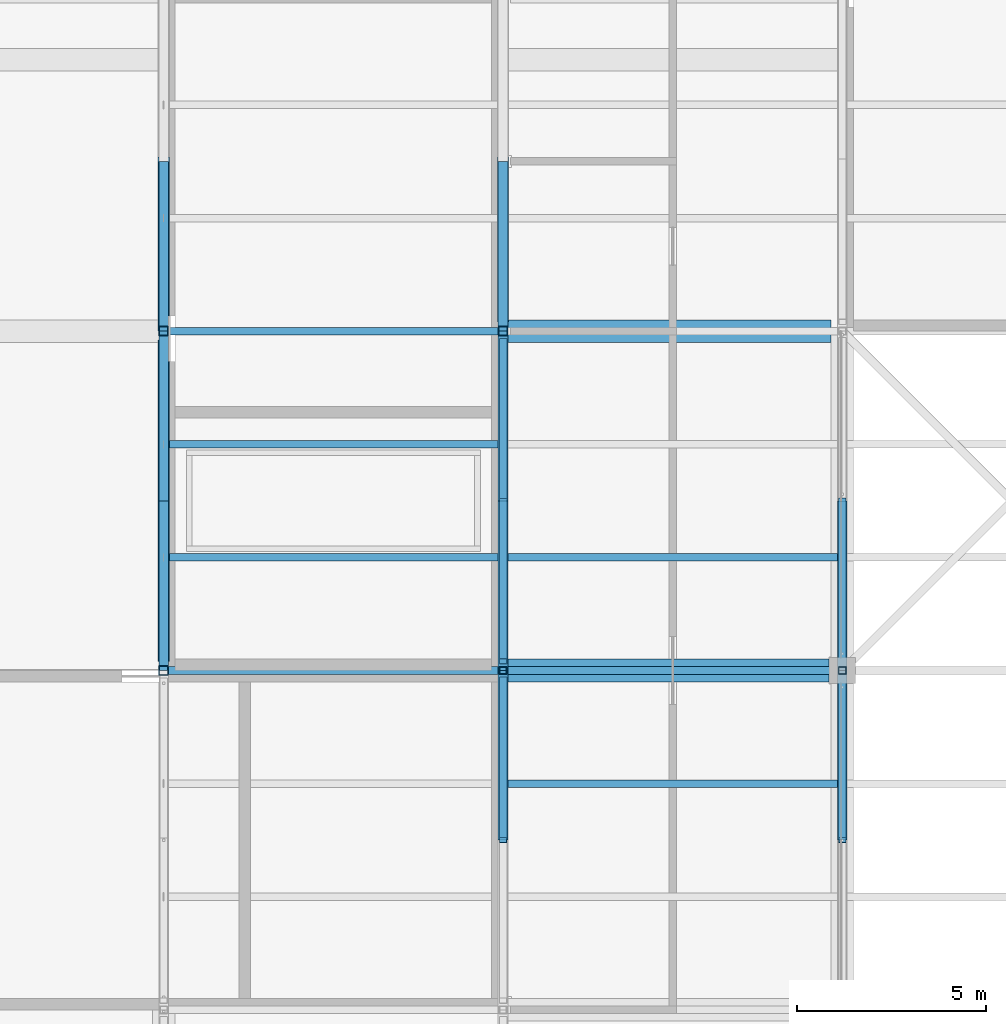
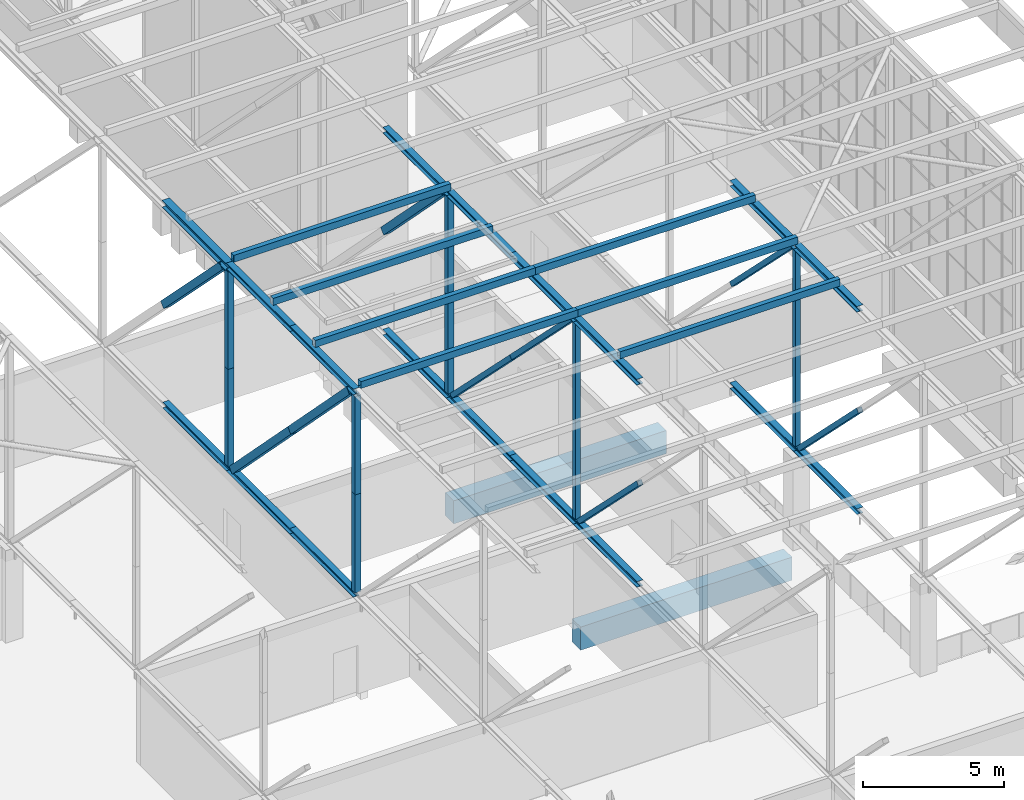
# One storey, part 91 of 646: 44 members, 2 beams.
"""IFC4 building model written with IfcOpenShell, lengths in metres."""

from ifc_helpers import new_model, si_unit, direction, frame, origin, origin_2d, place, context, subcontext, project, spatial, rectangle, hollow_rectangle, i_section, extrude, material, material_profile, profile_set, type_object, element, save


model = new_model("IFC4")

# Units and contexts
model_context = context("Model", 3, precision=1e-05, world=origin(), true_north=direction((0.0, 1.0)))
body_context = subcontext(model_context, "Body", "Model", "MODEL_VIEW")
ifc_project = project(units=[si_unit("LENGTHUNIT", "METRE"), si_unit("AREAUNIT", "SQUARE_METRE"), si_unit("VOLUMEUNIT", "CUBIC_METRE"), si_unit("PLANEANGLEUNIT", "RADIAN"), si_unit("MASSUNIT", "GRAM", prefix="KILO")], contexts=[model_context])

# Site, building, storey
site_placement = place(None, origin())
site = spatial("IfcSite", under=ifc_project, at=site_placement, CompositionType="ELEMENT")
building_placement = place(site_placement, origin())
building = spatial("IfcBuilding", under=site, at=building_placement, Name="Silverbay Arena", CompositionType="ELEMENT")
storey_placement = place(building_placement, frame((0.0, 0.0, 33.5)))
storey = spatial("IfcBuildingStorey", under=building, at=storey_placement, Name="L05", CompositionType="ELEMENT", Elevation=33.5)

# Members
ifc_material_1 = material(Name="Steel S355", Category="steel")
ifc_material_profile_1 = material_profile(ifc_material_1, i_section(OverallWidth=0.254638671875, OverallDepth=0.254150390625, WebThickness=0.008544921875, FlangeThickness=0.01416015625, at=origin_2d()), Name="UC 254x254x73")
ifc_profile_set_1 = profile_set([ifc_material_profile_1], Name="Steel S355")
member_type_1 = type_object("IfcMemberType", Name="Long-span bottom chord UC 254x254x73", PredefinedType="CHORD", material=ifc_profile_set_1)
for number, where, z_axis, x_axis, name in (
    (1, (180.0, 45.0, 4.126953125), (0.0, 1.0, 0.0), (-1.0, 0.0, 0.0), "ROOF TRUSS 21 bottom chord 05a"),
    (2, (180.0, 49.5, 4.126953125), (0.0, 1.0, 0.0), (-1.0, 0.0, 0.0), "ROOF TRUSS 21 bottom chord 05b"),
    (3, (180.0, 54.0, 4.126953125), (0.0, 1.0, 0.0), (-1.0, 0.0, 0.0), "ROOF TRUSS 21 bottom chord 06a"),
):
    element("IfcMember", number, at=place(storey_placement, frame(where, z_axis=z_axis, x_axis=x_axis)), inside=storey, type_object=member_type_1, Name=name, PredefinedType="CHORD", context=body_context, shape_type="SweptSolid", body=[
        extrude(i_section(OverallWidth=0.254638671875, OverallDepth=0.254150390625, WebThickness=0.008544921875, FlangeThickness=0.01416015625, at=origin_2d()), origin(), (0.0, 0.0, 1.0), 4.5),
    ])
ifc_material_2 = material(Name="Steel S355", Category="steel")
ifc_material_profile_2 = material_profile(ifc_material_2, i_section(OverallWidth=0.254638671875, OverallDepth=0.254150390625, WebThickness=0.008544921875, FlangeThickness=0.01416015625, at=origin_2d()), Name="UC 254x254x73")
ifc_profile_set_2 = profile_set([ifc_material_profile_2], Name="Steel S355")
member_type_2 = type_object("IfcMemberType", Name="Long-span top chord UC 254x254x73", PredefinedType="CHORD", material=ifc_profile_set_2)
for number, where, z_axis, x_axis, name in (
    (4, (180.0, 45.0, 12.873046875), (0.0, 1.0, 0.0), (-1.0, 0.0, 0.0), "ROOF TRUSS 21 top chord 05a"),
    (5, (180.0, 49.5, 12.873046875), (0.0, 1.0, 0.0), (-1.0, 0.0, 0.0), "ROOF TRUSS 21 top chord 05b"),
):
    element("IfcMember", number, at=place(storey_placement, frame(where, z_axis=z_axis, x_axis=x_axis)), inside=storey, type_object=member_type_2, Name=name, PredefinedType="CHORD", context=body_context, shape_type="SweptSolid", body=[
        extrude(i_section(OverallWidth=0.254638671875, OverallDepth=0.254150390625, WebThickness=0.008544921875, FlangeThickness=0.01416015625, at=origin_2d()), origin(), (0.0, 0.0, 1.0), 4.5),
    ])
ifc_material_3 = material(Name="Steel S355", Category="steel")
ifc_material_profile_3 = material_profile(ifc_material_3, i_section(OverallWidth=0.307373046875, OverallDepth=0.314453125, WebThickness=0.011962890625, FlangeThickness=0.018798828125, at=origin_2d()), Name="UC 305x305x118")
ifc_profile_set_3 = profile_set([ifc_material_profile_3], Name="Steel S355")
member_type_3 = type_object("IfcMemberType", Name="Long-span top chord UC 305x305x118", PredefinedType="CHORD", material=ifc_profile_set_3)
member_1_placement = place(storey_placement, frame((180.0, 54.0, 12.8427734375), z_axis=(0.0, 1.0, 0.0), x_axis=(-1.0, 0.0, 0.0)))
element("IfcMember", 6, at=member_1_placement, inside=storey, type_object=member_type_3, Name="ROOF TRUSS 21 top chord 06a", PredefinedType="CHORD", context=body_context, shape_type="SweptSolid", body=[
    extrude(i_section(OverallWidth=0.307373046875, OverallDepth=0.314453125, WebThickness=0.011962890625, FlangeThickness=0.018798828125, at=origin_2d()), origin(), (0.0, 0.0, 1.0), 4.5),
])
ifc_material_4 = material(Name="Steel S355", Category="steel")
ifc_material_profile_4 = material_profile(ifc_material_4, hollow_rectangle(XDim=0.300048828125, YDim=0.300048828125, WallThickness=0.012451171875, at=origin_2d()), Name="SHS 300x300x12.5")
ifc_profile_set_4 = profile_set([ifc_material_profile_4], Name="Steel S355")
member_type_4 = type_object("IfcMemberType", Name="Long-span truss diagonal SHS 300x300x12.5", PredefinedType="BRACE", material=ifc_profile_set_4)
member_2_placement = place(storey_placement, frame((180.0, 54.344482421875, 12.685546875), z_axis=(0.0, 0.70264254283, -0.711543011353), x_axis=(-1.0, 0.0, 0.0)))
element("IfcMember", 7, at=member_2_placement, inside=storey, type_object=member_type_4, Name="ROOF TRUSS 21 diagonal 06a", PredefinedType="BRACE", context=body_context, shape_type="SweptSolid", body=[
    extrude(hollow_rectangle(XDim=0.300048828125, YDim=0.300048828125, WallThickness=0.012451171875, at=origin_2d()), origin(), (0.0, 0.0, 1.0), 5.9248046875),
])
ifc_material_5 = material(Name="Steel S355", Category="steel")
ifc_material_profile_5 = material_profile(ifc_material_5, hollow_rectangle(XDim=0.300048828125, YDim=0.300048828125, WallThickness=0.01416015625, at=origin_2d()), Name="SHS 300x300x14.2")
ifc_profile_set_5 = profile_set([ifc_material_profile_5], Name="Steel S355")
member_type_5 = type_object("IfcMemberType", Name="Long-span truss diagonal SHS 300x300x14.2", PredefinedType="BRACE", material=ifc_profile_set_5)
for number, where, z_axis, x_axis, name in (
    (8, (180.0, 45.343505859375, 12.745849609375), (0.0, 0.699547435142, -0.714586164144), (-1.0, 0.0, 0.0), "ROOF TRUSS 21 diagonal 05a"),
    (9, (180.0, 49.5, 8.5), (0.0, 0.699547435142, -0.714586164144), (-1.0, 0.0, 0.0), "ROOF TRUSS 21 diagonal 05b"),
):
    element("IfcMember", number, at=place(storey_placement, frame(where, z_axis=z_axis, x_axis=x_axis)), inside=storey, type_object=member_type_5, Name=name, PredefinedType="BRACE", context=body_context, shape_type="SweptSolid", body=[
        extrude(hollow_rectangle(XDim=0.300048828125, YDim=0.300048828125, WallThickness=0.01416015625, at=origin_2d()), origin(), (0.0, 0.0, 1.0), 5.941650390625),
    ])
ifc_material_6 = material(Name="Steel S355", Category="steel")
ifc_material_profile_6 = material_profile(ifc_material_6, hollow_rectangle(XDim=0.25, YDim=0.25, WallThickness=0.010009765625, at=origin_2d()), Name="SHS 250x250x10")
ifc_profile_set_6 = profile_set([ifc_material_profile_6], Name="Steel S355")
member_type_6 = type_object("IfcMemberType", Name="Long-span truss vertical SHS 250x250x10", PredefinedType="STRUT", material=ifc_profile_set_6)
for number, where, z_axis, x_axis, name in (
    (10, (180.0, 45.0, 4.254150390625), (0.0, 0.0, 1.0), (1.0, 0.0, 0.0), "ROOF TRUSS 21 vertical 05a"),
    (11, (180.0, 45.0, 8.5), (0.0, 0.0, 1.0), (1.0, 0.0, 0.0), "ROOF TRUSS 21 vertical 05b"),
):
    element("IfcMember", number, at=place(storey_placement, frame(where, z_axis=z_axis, x_axis=x_axis)), inside=storey, type_object=member_type_6, Name=name, PredefinedType="STRUT", context=body_context, shape_type="SweptSolid", body=[
        extrude(hollow_rectangle(XDim=0.25, YDim=0.25, WallThickness=0.010009765625, at=origin_2d()), origin(), (0.0, 0.0, 1.0), 4.245849609375),
    ])
member_3_placement = place(storey_placement, frame((180.0, 54.0, 4.254150390625), z_axis=(0.0, 0.0, 1.0), x_axis=(1.0, 0.0, 0.0)))
element("IfcMember", 12, at=member_3_placement, inside=storey, type_object=member_type_6, Name="ROOF TRUSS 21 vertical 06a", PredefinedType="STRUT", context=body_context, shape_type="SweptSolid", body=[
    extrude(hollow_rectangle(XDim=0.25, YDim=0.25, WallThickness=0.010009765625, at=origin_2d()), origin(), (0.0, 0.0, 1.0), 4.215576171875),
])
member_4_placement = place(storey_placement, frame((180.0, 54.0, 8.4697265625), z_axis=(0.0, 0.0, 1.0), x_axis=(1.0, 0.0, 0.0)))
element("IfcMember", 13, at=member_4_placement, inside=storey, type_object=member_type_6, Name="ROOF TRUSS 21 vertical 06b", PredefinedType="STRUT", context=body_context, shape_type="SweptSolid", body=[
    extrude(hollow_rectangle(XDim=0.25, YDim=0.25, WallThickness=0.010009765625, at=origin_2d()), origin(), (0.0, 0.0, 1.0), 4.2158203125),
])
ifc_material_7 = material(Name="Steel S355", Category="steel")
ifc_material_profile_7 = material_profile(ifc_material_7, i_section(OverallWidth=0.254638671875, OverallDepth=0.254150390625, WebThickness=0.008544921875, FlangeThickness=0.01416015625, at=origin_2d()), Name="UC 254x254x73")
ifc_profile_set_7 = profile_set([ifc_material_profile_7], Name="Steel S355")
member_type_7 = type_object("IfcMemberType", Name="Medium-span bottom chord UC 254x254x73", PredefinedType="CHORD", material=ifc_profile_set_7)
for number, where, z_axis, x_axis, name in (
    (14, (189.0, 40.5, 4.126953125), (0.0, 1.0, 0.0), (-1.0, 0.0, 0.0), "ROOF TRUSS 22 bottom chord 04b"),
    (15, (189.0, 45.0, 4.126953125), (0.0, 1.0, 0.0), (-1.0, 0.0, 0.0), "ROOF TRUSS 22 bottom chord 05a"),
    (16, (189.0, 49.5, 4.126953125), (0.0, 1.0, 0.0), (-1.0, 0.0, 0.0), "ROOF TRUSS 22 bottom chord 05b"),
    (17, (189.0, 54.0, 4.126953125), (0.0, 1.0, 0.0), (-1.0, 0.0, 0.0), "ROOF TRUSS 22 bottom chord 06a"),
):
    element("IfcMember", number, at=place(storey_placement, frame(where, z_axis=z_axis, x_axis=x_axis)), inside=storey, type_object=member_type_7, Name=name, PredefinedType="CHORD", context=body_context, shape_type="SweptSolid", body=[
        extrude(i_section(OverallWidth=0.254638671875, OverallDepth=0.254150390625, WebThickness=0.008544921875, FlangeThickness=0.01416015625, at=origin_2d()), origin(), (0.0, 0.0, 1.0), 4.5),
    ])
ifc_material_8 = material(Name="Steel S355", Category="steel")
ifc_material_profile_8 = material_profile(ifc_material_8, i_section(OverallWidth=0.254638671875, OverallDepth=0.254150390625, WebThickness=0.008544921875, FlangeThickness=0.01416015625, at=origin_2d()), Name="UC 254x254x73")
ifc_profile_set_8 = profile_set([ifc_material_profile_8], Name="Steel S355")
member_type_8 = type_object("IfcMemberType", Name="Medium-span top chord UC 254x254x73", PredefinedType="CHORD", material=ifc_profile_set_8)
for number, where, z_axis, x_axis, name in (
    (18, (189.0, 40.5, 12.873046875), (0.0, 1.0, 0.0), (-1.0, 0.0, 0.0), "ROOF TRUSS 22 top chord 04b"),
    (19, (189.0, 45.0, 12.873046875), (0.0, 1.0, 0.0), (-1.0, 0.0, 0.0), "ROOF TRUSS 22 top chord 05a"),
    (20, (189.0, 49.5, 12.873046875), (0.0, 1.0, 0.0), (-1.0, 0.0, 0.0), "ROOF TRUSS 22 top chord 05b"),
    (21, (189.0, 54.0, 12.873046875), (0.0, 1.0, 0.0), (-1.0, 0.0, 0.0), "ROOF TRUSS 22 top chord 06a"),
):
    element("IfcMember", number, at=place(storey_placement, frame(where, z_axis=z_axis, x_axis=x_axis)), inside=storey, type_object=member_type_8, Name=name, PredefinedType="CHORD", context=body_context, shape_type="SweptSolid", body=[
        extrude(i_section(OverallWidth=0.254638671875, OverallDepth=0.254150390625, WebThickness=0.008544921875, FlangeThickness=0.01416015625, at=origin_2d()), origin(), (0.0, 0.0, 1.0), 4.5),
    ])
ifc_material_9 = material(Name="Steel S355", Category="steel")
ifc_material_profile_9 = material_profile(ifc_material_9, hollow_rectangle(XDim=0.199951171875, YDim=0.199951171875, WallThickness=0.008056640625, at=origin_2d()), Name="SHS 200x200x8")
ifc_profile_set_9 = profile_set([ifc_material_profile_9], Name="Steel S355")
member_type_9 = type_object("IfcMemberType", Name="Medium-span truss diagonal SHS 200x200x8", PredefinedType="BRACE", material=ifc_profile_set_9)
member_5_placement = place(storey_placement, frame((189.0, 40.5, 8.5), z_axis=(0.0, 0.70781724692, -0.706395600894), x_axis=(-1.0, 0.0, 0.0)))
element("IfcMember", 22, at=member_5_placement, inside=storey, type_object=member_type_9, Name="ROOF TRUSS 22 diagonal 04b", PredefinedType="BRACE", context=body_context, shape_type="SweptSolid", body=[
    extrude(hollow_rectangle(XDim=0.199951171875, YDim=0.199951171875, WallThickness=0.008056640625, at=origin_2d()), origin(), (0.0, 0.0, 1.0), 6.010498046875),
])
for number, where, z_axis, x_axis, name in (
    (23, (189.0, 45.24560546875, 12.745849609375), (0.0, 0.706781281828, -0.707432130778), (-1.0, 0.0, 0.0), "ROOF TRUSS 22 diagonal 05a"),
    (24, (189.0, 49.487548828125, 8.5), (0.0, 0.7067609232, -0.707452470091), (-1.0, 0.0, 0.0), "ROOF TRUSS 22 diagonal 05b"),
):
    element("IfcMember", number, at=place(storey_placement, frame(where, z_axis=z_axis, x_axis=x_axis)), inside=storey, type_object=member_type_9, Name=name, PredefinedType="BRACE", context=body_context, shape_type="SweptSolid", body=[
        extrude(hollow_rectangle(XDim=0.199951171875, YDim=0.199951171875, WallThickness=0.008056640625, at=origin_2d()), origin(), (0.0, 0.0, 1.0), 6.001708984375),
    ])
ifc_material_10 = material(Name="Steel S355", Category="steel")
ifc_material_profile_10 = material_profile(ifc_material_10, hollow_rectangle(XDim=0.300048828125, YDim=0.300048828125, WallThickness=0.012451171875, at=origin_2d()), Name="SHS 300x300x12.5")
ifc_profile_set_10 = profile_set([ifc_material_profile_10], Name="Steel S355")
member_type_10 = type_object("IfcMemberType", Name="Medium-span truss diagonal SHS 300x300x12.5", PredefinedType="BRACE", material=ifc_profile_set_10)
member_6_placement = place(storey_placement, frame((189.0, 54.343505859375, 12.745849609375), z_axis=(0.0, 0.700196997117, -0.713949693766), x_axis=(-1.0, 0.0, 0.0)))
element("IfcMember", 25, at=member_6_placement, inside=storey, type_object=member_type_10, Name="ROOF TRUSS 22 diagonal 06a", PredefinedType="BRACE", context=body_context, shape_type="SweptSolid", body=[
    extrude(hollow_rectangle(XDim=0.300048828125, YDim=0.300048828125, WallThickness=0.012451171875, at=origin_2d()), origin(), (0.0, 0.0, 1.0), 5.947021484375),
])
ifc_material_11 = material(Name="Steel S355", Category="steel")
ifc_material_profile_11 = material_profile(ifc_material_11, hollow_rectangle(XDim=0.199951171875, YDim=0.199951171875, WallThickness=0.008056640625, at=origin_2d()), Name="SHS 200x200x8")
ifc_profile_set_11 = profile_set([ifc_material_profile_11], Name="Steel S355")
member_type_11 = type_object("IfcMemberType", Name="Medium-span truss vertical SHS 200x200x8", PredefinedType="STRUT", material=ifc_profile_set_11)
for number, where, z_axis, x_axis, name in (
    (26, (189.0, 45.0, 4.254150390625), (0.0, 0.0, 1.0), (1.0, 0.0, 0.0), "ROOF TRUSS 22 vertical 05a"),
    (27, (189.0, 45.0, 8.5), (0.0, 0.0, 1.0), (1.0, 0.0, 0.0), "ROOF TRUSS 22 vertical 05b"),
):
    element("IfcMember", number, at=place(storey_placement, frame(where, z_axis=z_axis, x_axis=x_axis)), inside=storey, type_object=member_type_11, Name=name, PredefinedType="STRUT", context=body_context, shape_type="SweptSolid", body=[
        extrude(hollow_rectangle(XDim=0.199951171875, YDim=0.199951171875, WallThickness=0.008056640625, at=origin_2d()), origin(), (0.0, 0.0, 1.0), 4.245849609375),
    ])
ifc_material_12 = material(Name="Steel S355", Category="steel")
ifc_material_profile_12 = material_profile(ifc_material_12, hollow_rectangle(XDim=0.25, YDim=0.25, WallThickness=0.010009765625, at=origin_2d()), Name="SHS 250x250x10")
ifc_profile_set_12 = profile_set([ifc_material_profile_12], Name="Steel S355")
member_type_12 = type_object("IfcMemberType", Name="Medium-span truss vertical SHS 250x250x10", PredefinedType="STRUT", material=ifc_profile_set_12)
for number, where, z_axis, x_axis, name in (
    (28, (189.0, 54.0, 4.254150390625), (0.0, 0.0, 1.0), (1.0, 0.0, 0.0), "ROOF TRUSS 22 vertical 06a"),
    (29, (189.0, 54.0, 8.5), (0.0, 0.0, 1.0), (1.0, 0.0, 0.0), "ROOF TRUSS 22 vertical 06b"),
):
    element("IfcMember", number, at=place(storey_placement, frame(where, z_axis=z_axis, x_axis=x_axis)), inside=storey, type_object=member_type_12, Name=name, PredefinedType="STRUT", context=body_context, shape_type="SweptSolid", body=[
        extrude(hollow_rectangle(XDim=0.25, YDim=0.25, WallThickness=0.010009765625, at=origin_2d()), origin(), (0.0, 0.0, 1.0), 4.245849609375),
    ])
ifc_material_13 = material(Name="Steel S355", Category="steel")
ifc_material_profile_13 = material_profile(ifc_material_13, hollow_rectangle(XDim=0.199951171875, YDim=0.300048828125, WallThickness=0.00634765625, at=origin_2d()), Name="RHS 300x200x6.3")
ifc_profile_set_13 = profile_set([ifc_material_profile_13], Name="Steel S355")
member_type_13 = type_object("IfcMemberType", Name="Purlin RHS 300x200x6.3", PredefinedType="PURLIN", material=ifc_profile_set_13)
member_7_placement = place(storey_placement, frame((180.125, 45.0, 13.14990234375), z_axis=(1.0, 0.0, 0.0), x_axis=(0.0, 1.0, 0.0)))
element("IfcMember", 30, at=member_7_placement, inside=storey, type_object=member_type_13, Name="ROOF PURLIN 21-22 line 13", PredefinedType="PURLIN", context=body_context, shape_type="SweptSolid", body=[
    extrude(hollow_rectangle(XDim=0.199951171875, YDim=0.300048828125, WallThickness=0.00634765625, at=origin_2d()), origin(), (0.0, 0.0, 1.0), 8.875),
])
for number, where, z_axis, x_axis, name in (
    (31, (180.0, 48.0, 13.14990234375), (1.0, 0.0, 0.0), (0.0, 1.0, 0.0), "ROOF PURLIN 21-22 line 14"),
    (32, (180.0, 51.0, 13.14990234375), (1.0, 0.0, 0.0), (0.0, 1.0, 0.0), "ROOF PURLIN 21-22 line 15"),
):
    element("IfcMember", number, at=place(storey_placement, frame(where, z_axis=z_axis, x_axis=x_axis)), inside=storey, type_object=member_type_13, Name=name, PredefinedType="PURLIN", context=body_context, shape_type="SweptSolid", body=[
        extrude(hollow_rectangle(XDim=0.199951171875, YDim=0.300048828125, WallThickness=0.00634765625, at=origin_2d()), origin(), (0.0, 0.0, 1.0), 9.0),
    ])
member_8_placement = place(storey_placement, frame((180.125, 54.0, 13.14990234375), z_axis=(1.0, 0.0, 0.0), x_axis=(0.0, 1.0, 0.0)))
element("IfcMember", 33, at=member_8_placement, inside=storey, type_object=member_type_13, Name="ROOF PURLIN 21-22 line 16", PredefinedType="PURLIN", context=body_context, shape_type="SweptSolid", body=[
    extrude(hollow_rectangle(XDim=0.199951171875, YDim=0.300048828125, WallThickness=0.00634765625, at=origin_2d()), origin(), (0.0, 0.0, 1.0), 8.875),
])
for number, where, z_axis, x_axis, name in (
    (34, (189.0, 42.0, 13.14990234375), (1.0, 0.0, 0.0), (0.0, 1.0, 0.0), "ROOF PURLIN 22-23 line 12"),
    (35, (189.0, 45.0, 13.14990234375), (1.0, 0.0, 0.0), (0.0, 1.0, 0.0), "ROOF PURLIN 22-23 line 13"),
    (36, (189.0, 48.0, 13.14990234375), (1.0, 0.0, 0.0), (0.0, 1.0, 0.0), "ROOF PURLIN 22-23 line 14"),
):
    element("IfcMember", number, at=place(storey_placement, frame(where, z_axis=z_axis, x_axis=x_axis)), inside=storey, type_object=member_type_13, Name=name, PredefinedType="PURLIN", context=body_context, shape_type="SweptSolid", body=[
        extrude(hollow_rectangle(XDim=0.199951171875, YDim=0.300048828125, WallThickness=0.00634765625, at=origin_2d()), origin(), (0.0, 0.0, 1.0), 9.0),
    ])

# Beams
ifc_material_14 = material(Name="Concrete Grade C45", Category="concrete")
ifc_material_profile_14 = material_profile(ifc_material_14, rectangle(XDim=0.60009765625, YDim=1.0, at=origin_2d()), Name="RC 600x1000")
ifc_profile_set_14 = profile_set([ifc_material_profile_14], Name="Concrete Grade C45")
beam_type = type_object("IfcBeamType", Name="RC beam 600x1000", PredefinedType="BEAM", material=ifc_profile_set_14)
beam_1_placement = place(storey_placement, frame((189.0, 45.0, -0.800048828125), z_axis=(1.0, 0.0, 0.0), x_axis=(0.0, 1.0, 0.0)))
element("IfcBeam", 37, at=beam_1_placement, inside=storey, type_object=beam_type, Name="Floor beam L05 018", PredefinedType="BEAM", context=body_context, shape_type="SweptSolid", body=[
    extrude(rectangle(XDim=0.60009765625, YDim=1.0, at=origin_2d()), origin(), (0.0, 0.0, 1.0), 8.64990234375),
])
beam_2_placement = place(storey_placement, frame((189.0, 54.0, -0.800048828125), z_axis=(1.0, 0.0, 0.0), x_axis=(0.0, 1.0, 0.0)))
element("IfcBeam", 38, at=beam_2_placement, inside=storey, type_object=beam_type, Name="Floor beam L05 024", PredefinedType="BEAM", context=body_context, shape_type="SweptSolid", body=[
    extrude(rectangle(XDim=0.60009765625, YDim=1.0, at=origin_2d()), origin(), (0.0, 0.0, 1.0), 8.699951171875),
])

# Members
ifc_material_15 = material(Name="Steel S355", Category="steel")
ifc_material_profile_15 = material_profile(ifc_material_15, i_section(OverallWidth=0.254638671875, OverallDepth=0.254150390625, WebThickness=0.008544921875, FlangeThickness=0.01416015625, at=origin_2d()), Name="UC 254x254x73")
ifc_profile_set_15 = profile_set([ifc_material_profile_15], Name="Steel S355")
member_type_14 = type_object("IfcMemberType", Name="Short-span bottom chord UC 254x254x73", PredefinedType="CHORD", material=ifc_profile_set_15)
for number, where, z_axis, x_axis, name in (
    (39, (198.0, 40.5, 4.126953125), (0.0, 1.0, 0.0), (-1.0, 0.0, 0.0), "ROOF TRUSS 23 bottom chord 04b"),
    (40, (198.0, 45.0, 4.126953125), (0.0, 1.0, 0.0), (-1.0, 0.0, 0.0), "ROOF TRUSS 23 bottom chord 05a"),
):
    element("IfcMember", number, at=place(storey_placement, frame(where, z_axis=z_axis, x_axis=x_axis)), inside=storey, type_object=member_type_14, Name=name, PredefinedType="CHORD", context=body_context, shape_type="SweptSolid", body=[
        extrude(i_section(OverallWidth=0.254638671875, OverallDepth=0.254150390625, WebThickness=0.008544921875, FlangeThickness=0.01416015625, at=origin_2d()), origin(), (0.0, 0.0, 1.0), 4.5),
    ])
ifc_material_16 = material(Name="Steel S355", Category="steel")
ifc_material_profile_16 = material_profile(ifc_material_16, i_section(OverallWidth=0.254638671875, OverallDepth=0.254150390625, WebThickness=0.008544921875, FlangeThickness=0.01416015625, at=origin_2d()), Name="UC 254x254x73")
ifc_profile_set_16 = profile_set([ifc_material_profile_16], Name="Steel S355")
member_type_15 = type_object("IfcMemberType", Name="Short-span top chord UC 254x254x73", PredefinedType="CHORD", material=ifc_profile_set_16)
for number, where, z_axis, x_axis, name in (
    (41, (198.0, 40.5, 12.873046875), (0.0, 1.0, 0.0), (-1.0, 0.0, 0.0), "ROOF TRUSS 23 top chord 04b"),
    (42, (198.0, 45.0, 12.873046875), (0.0, 1.0, 0.0), (-1.0, 0.0, 0.0), "ROOF TRUSS 23 top chord 05a"),
):
    element("IfcMember", number, at=place(storey_placement, frame(where, z_axis=z_axis, x_axis=x_axis)), inside=storey, type_object=member_type_15, Name=name, PredefinedType="CHORD", context=body_context, shape_type="SweptSolid", body=[
        extrude(i_section(OverallWidth=0.254638671875, OverallDepth=0.254150390625, WebThickness=0.008544921875, FlangeThickness=0.01416015625, at=origin_2d()), origin(), (0.0, 0.0, 1.0), 4.5),
    ])
ifc_material_17 = material(Name="Steel S355", Category="steel")
ifc_material_profile_17 = material_profile(ifc_material_17, hollow_rectangle(XDim=0.199951171875, YDim=0.199951171875, WallThickness=0.008056640625, at=origin_2d()), Name="SHS 200x200x8")
ifc_profile_set_17 = profile_set([ifc_material_profile_17], Name="Steel S355")
member_type_16 = type_object("IfcMemberType", Name="Short-span truss diagonal SHS 200x200x8", PredefinedType="BRACE", material=ifc_profile_set_17)
for number, where, z_axis, x_axis, name in (
    (43, (198.0, 40.5, 8.5), (0.0, 0.70781724692, -0.706395600894), (-1.0, 0.0, 0.0), "ROOF TRUSS 23 diagonal 04b"),
    (44, (198.0, 45.24560546875, 12.745849609375), (0.0, 0.70781724692, -0.706395600894), (-1.0, 0.0, 0.0), "ROOF TRUSS 23 diagonal 05a"),
):
    element("IfcMember", number, at=place(storey_placement, frame(where, z_axis=z_axis, x_axis=x_axis)), inside=storey, type_object=member_type_16, Name=name, PredefinedType="BRACE", context=body_context, shape_type="SweptSolid", body=[
        extrude(hollow_rectangle(XDim=0.199951171875, YDim=0.199951171875, WallThickness=0.008056640625, at=origin_2d()), origin(), (0.0, 0.0, 1.0), 6.010498046875),
    ])
ifc_material_18 = material(Name="Steel S355", Category="steel")
ifc_material_profile_18 = material_profile(ifc_material_18, hollow_rectangle(XDim=0.199951171875, YDim=0.199951171875, WallThickness=0.008056640625, at=origin_2d()), Name="SHS 200x200x8")
ifc_profile_set_18 = profile_set([ifc_material_profile_18], Name="Steel S355")
member_type_17 = type_object("IfcMemberType", Name="Short-span truss vertical SHS 200x200x8", PredefinedType="STRUT", material=ifc_profile_set_18)
for number, where, z_axis, x_axis, name in (
    (45, (198.0, 45.0, 4.254150390625), (0.0, 0.0, 1.0), (1.0, 0.0, 0.0), "ROOF TRUSS 23 vertical 05a"),
    (46, (198.0, 45.0, 8.5), (0.0, 0.0, 1.0), (1.0, 0.0, 0.0), "ROOF TRUSS 23 vertical 05b"),
):
    element("IfcMember", number, at=place(storey_placement, frame(where, z_axis=z_axis, x_axis=x_axis)), inside=storey, type_object=member_type_17, Name=name, PredefinedType="STRUT", context=body_context, shape_type="SweptSolid", body=[
        extrude(hollow_rectangle(XDim=0.199951171875, YDim=0.199951171875, WallThickness=0.008056640625, at=origin_2d()), origin(), (0.0, 0.0, 1.0), 4.245849609375),
    ])

save(model, "model.ifc")
